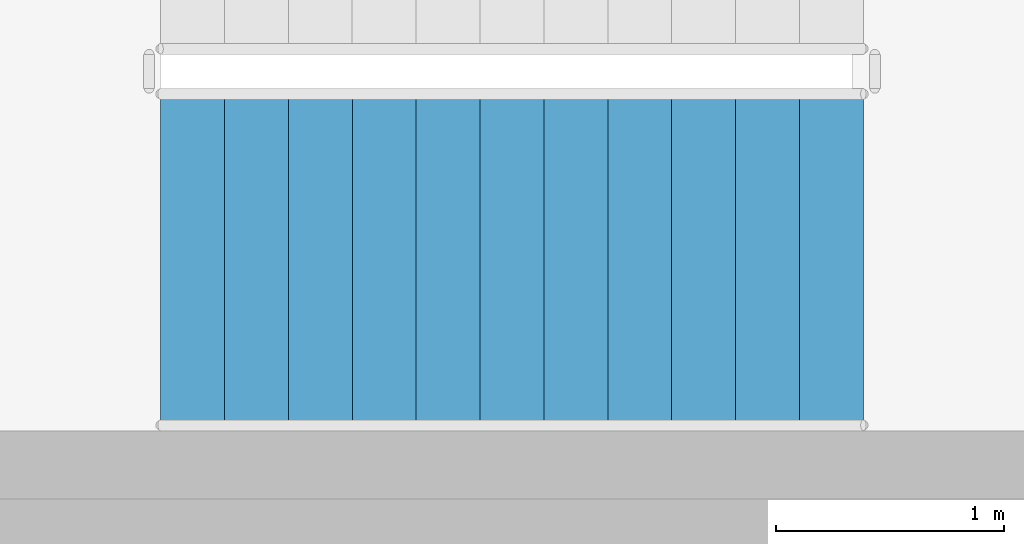
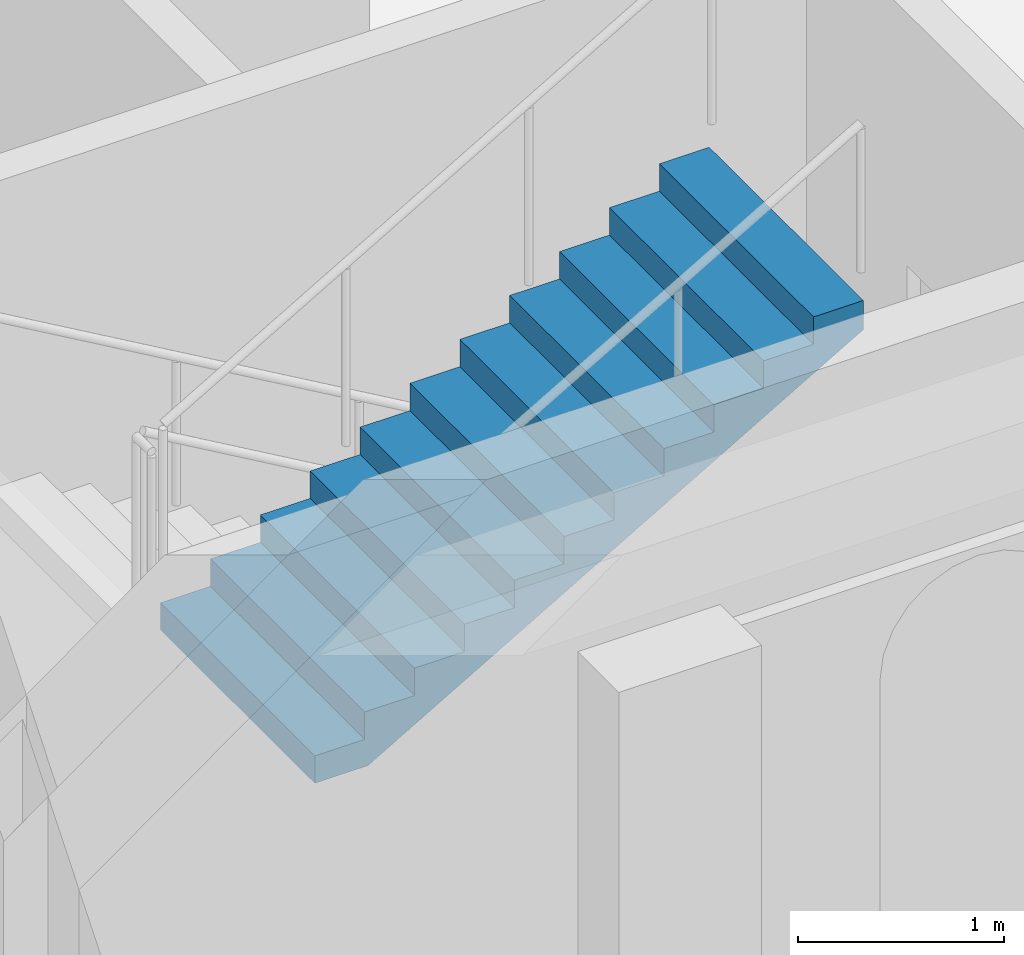
# One storey, part 35 of 42: 1 stair flight, 1 element without a shape of its own.
"""IFC4 building model written with IfcOpenShell, lengths in metres."""

from ifc_helpers import new_model, si_unit, direction, frame, origin, place, context, subcontext, project, spatial, triangles, material, type_object, element, aggregate, save


model = new_model("IFC4")

# Units and contexts
model_context = context("Model", 3, precision=1e-05, world=origin(), true_north=direction((0.0, 1.0)))
body_context = subcontext(model_context, "Body", "Model", "MODEL_VIEW")
ifc_project = project(units=[si_unit("LENGTHUNIT", "METRE"), si_unit("AREAUNIT", "SQUARE_METRE"), si_unit("VOLUMEUNIT", "CUBIC_METRE"), si_unit("PLANEANGLEUNIT", "RADIAN"), si_unit("MASSUNIT", "GRAM", prefix="KILO")], contexts=[model_context])

# Site, building, storey
site_placement = place(None, origin())
site = spatial("IfcSite", under=ifc_project, at=site_placement, CompositionType="ELEMENT")
building_placement = place(site_placement, origin())
building = spatial("IfcBuilding", under=site, at=building_placement, Name="Magnolia Steps Interchange", CompositionType="ELEMENT")
storey_placement = place(building_placement, frame((0.0, 0.0, 12.60009765625)))
storey = spatial("IfcBuildingStorey", under=building, at=storey_placement, Name="L03", CompositionType="ELEMENT", Elevation=12.60009765625)

# Stair, stair flight
ifc_material_1 = material(Name="Concrete C40", Category="concrete")
stair_type = type_object("IfcStairType", Name="Exit stair 1500", PredefinedType="HALF_TURN_STAIR", material=ifc_material_1)
stair_placement = place(storey_placement, origin())
stair = element("IfcStair", 1, at=stair_placement, inside=storey, type_object=stair_type, Name="L03 Stair 28", PredefinedType="HALF_TURN_STAIR")
ifc_material_2 = material(Name="Concrete C40", Category="concrete")
stair_flight_type = type_object("IfcStairFlightType", Name="Exit stair flight", PredefinedType="STRAIGHT", material=ifc_material_2)
stair_flight_placement = place(storey_placement, frame((66.070068359375, 97.60009765625, 1.949951171875), z_axis=(0.0, 0.0, 1.0), x_axis=(1.0, 0.0, 0.0)))
stair_flight = element("IfcStairFlight", 2, at=stair_flight_placement, type_object=stair_flight_type, Name="Stair 28 flight 2", NumberOfRisers=12, NumberOfTreads=11, PredefinedType="STRAIGHT", RiserHeight=0.1625, TreadLength=0.28, context=body_context, shape_type="Tessellation", body=[
    triangles([(0.0, -0.75, 0.0), (0.298583984375, -0.75, 0.0), (3.080078125, -0.75, 1.6142578125), (3.080078125, -0.75, 1.78759765625), (2.800048828125, -0.75, 1.78759765625), (2.800048828125, -0.75, 1.625), (2.52001953125, -0.75, 1.625), (2.52001953125, -0.75, 1.46240234375), (2.239990234375, -0.75, 1.46240234375), (2.239990234375, -0.75, 1.300048828125), (1.9599609375, -0.75, 1.300048828125), (1.9599609375, -0.75, 1.137451171875), (1.679931640625, -0.75, 1.137451171875), (1.679931640625, -0.75, 0.97509765625), (1.39990234375, -0.75, 0.97509765625), (1.39990234375, -0.75, 0.8125), (1.1201171875, -0.75, 0.8125), (1.1201171875, -0.75, 0.64990234375), (0.840087890625, -0.75, 0.64990234375), (0.840087890625, -0.75, 0.487548828125), (0.56005859375, -0.75, 0.487548828125), (0.56005859375, -0.75, 0.324951171875), (0.280029296875, -0.75, 0.324951171875), (0.280029296875, -0.75, 0.16259765625), (0.0, -0.75, 0.16259765625), (0.0, 0.75, 0.0), (0.298583984375, 0.75, 0.0), (3.080078125, 0.75, 1.6142578125), (3.080078125, 0.75, 1.78759765625), (2.800048828125, 0.75, 1.78759765625), (2.800048828125, 0.75, 1.625), (2.52001953125, 0.75, 1.625), (2.52001953125, 0.75, 1.46240234375), (2.239990234375, 0.75, 1.46240234375), (2.239990234375, 0.75, 1.300048828125), (1.9599609375, 0.75, 1.300048828125), (1.9599609375, 0.75, 1.137451171875), (1.679931640625, 0.75, 1.137451171875), (1.679931640625, 0.75, 0.97509765625), (1.39990234375, 0.75, 0.97509765625), (1.39990234375, 0.75, 0.8125), (1.1201171875, 0.75, 0.8125), (1.1201171875, 0.75, 0.64990234375), (0.840087890625, 0.75, 0.64990234375), (0.840087890625, 0.75, 0.487548828125), (0.56005859375, 0.75, 0.487548828125), (0.56005859375, 0.75, 0.324951171875), (0.280029296875, 0.75, 0.324951171875), (0.280029296875, 0.75, 0.16259765625), (0.0, 0.75, 0.16259765625), (0.0, 0.0, 0.0), (0.0, 0.0, 0.0406494140625), (0.0, 0.0, 0.081298828125), (0.0, 0.0, 0.1219482421875), (0.0, 0.0, 0.16259765625), (0.0, -0.05, 0.0), (0.0, -0.05, 0.16259765625), (0.0, 0.05, 0.0), (0.0, 0.05, 0.16259765625), (0.046671549479166664, 0.0, 0.16259765625), (0.09334309895833333, 0.0, 0.16259765625), (0.1400146484375, 0.0, 0.16259765625), (0.18668619791666666, 0.0, 0.16259765625), (0.23335774739583334, 0.0, 0.16259765625), (0.280029296875, 0.0, 0.16259765625), (0.280029296875, -0.05, 0.16259765625), (0.280029296875, 0.05, 0.16259765625), (0.280029296875, 0.0, 0.20318603515625), (0.280029296875, 0.0, 0.2437744140625), (0.280029296875, 0.0, 0.28436279296875), (0.280029296875, 0.0, 0.324951171875), (0.280029296875, -0.05, 0.324951171875), (0.280029296875, 0.05, 0.324951171875), (0.3267008463541667, 0.0, 0.324951171875), (0.3733723958333333, 0.0, 0.324951171875), (0.4200439453125, 0.0, 0.324951171875), (0.46671549479166663, 0.0, 0.324951171875), (0.5133870442708334, 0.0, 0.324951171875), (0.56005859375, 0.0, 0.324951171875), (0.56005859375, -0.05, 0.324951171875), (0.56005859375, 0.05, 0.324951171875), (0.56005859375, 0.0, 0.3656005859375), (0.56005859375, 0.0, 0.40625), (0.56005859375, 0.0, 0.4468994140625), (0.56005859375, 0.0, 0.487548828125), (0.56005859375, -0.05, 0.487548828125), (0.56005859375, 0.05, 0.487548828125), (0.6067301432291666, 0.0, 0.487548828125), (0.6534016927083334, 0.0, 0.487548828125), (0.7000732421875, 0.0, 0.487548828125), (0.7467447916666666, 0.0, 0.487548828125), (0.7934163411458334, 0.0, 0.487548828125), (0.840087890625, 0.0, 0.487548828125), (0.840087890625, -0.05, 0.487548828125), (0.840087890625, 0.05, 0.487548828125), (0.840087890625, 0.0, 0.52813720703125), (0.840087890625, 0.0, 0.5687255859375), (0.840087890625, 0.0, 0.60931396484375), (0.840087890625, 0.0, 0.64990234375), (0.840087890625, -0.05, 0.64990234375), (0.840087890625, 0.05, 0.64990234375), (0.8867594401041666, 0.0, 0.64990234375), (0.9334309895833334, 0.0, 0.64990234375), (0.9801025390625, 0.0, 0.64990234375), (1.0267740885416667, 0.0, 0.64990234375), (1.0734456380208333, 0.0, 0.64990234375), (1.1201171875, 0.0, 0.64990234375), (1.1201171875, -0.05, 0.64990234375), (1.1201171875, 0.05, 0.64990234375), (1.1201171875, 0.0, 0.6905517578125), (1.1201171875, 0.0, 0.731201171875), (1.1201171875, 0.0, 0.7718505859375), (1.1201171875, 0.0, 0.8125), (1.1201171875, -0.05, 0.8125), (1.1201171875, 0.05, 0.8125), (1.1900634765625, 0.0, 0.8125), (1.260009765625, 0.0, 0.8125), (1.3299560546875, 0.0, 0.8125), (1.39990234375, 0.0, 0.8125), (1.39990234375, -0.05, 0.8125), (1.39990234375, 0.05, 0.8125), (1.39990234375, 0.0, 0.8531494140625), (1.39990234375, 0.0, 0.893798828125), (1.39990234375, 0.0, 0.9344482421875), (1.39990234375, 0.0, 0.97509765625), (1.39990234375, -0.05, 0.97509765625), (1.39990234375, 0.05, 0.97509765625), (1.4465738932291667, 0.0, 0.97509765625), (1.4932454427083333, 0.0, 0.97509765625), (1.5399169921875, 0.0, 0.97509765625), (1.5865885416666667, 0.0, 0.97509765625), (1.6332600911458333, 0.0, 0.97509765625), (1.679931640625, 0.0, 0.97509765625), (1.679931640625, -0.05, 0.97509765625), (1.679931640625, 0.05, 0.97509765625), (1.679931640625, 0.0, 1.01568603515625), (1.679931640625, 0.0, 1.0562744140625), (1.679931640625, 0.0, 1.09686279296875), (1.679931640625, 0.0, 1.137451171875), (1.679931640625, -0.05, 1.137451171875), (1.679931640625, 0.05, 1.137451171875), (1.7266031901041667, 0.0, 1.137451171875), (1.7732747395833333, 0.0, 1.137451171875), (1.8199462890625, 0.0, 1.137451171875), (1.8666178385416667, 0.0, 1.137451171875), (1.9132893880208333, 0.0, 1.137451171875), (1.9599609375, 0.0, 1.137451171875), (1.9599609375, -0.05, 1.137451171875), (1.9599609375, 0.05, 1.137451171875), (1.9599609375, 0.0, 1.1781005859375), (1.9599609375, 0.0, 1.21875), (1.9599609375, 0.0, 1.2593994140625), (1.9599609375, 0.0, 1.300048828125), (1.9599609375, -0.05, 1.300048828125), (1.9599609375, 0.05, 1.300048828125), (2.0066324869791665, 0.0, 1.300048828125), (2.0533040364583335, 0.0, 1.300048828125), (2.0999755859375, 0.0, 1.300048828125), (2.1466471354166665, 0.0, 1.300048828125), (2.1933186848958335, 0.0, 1.300048828125), (2.239990234375, 0.0, 1.300048828125), (2.239990234375, -0.05, 1.300048828125), (2.239990234375, 0.05, 1.300048828125), (2.239990234375, 0.0, 1.34063720703125), (2.239990234375, 0.0, 1.3812255859375), (2.239990234375, 0.0, 1.42181396484375), (2.239990234375, 0.0, 1.46240234375), (2.239990234375, -0.05, 1.46240234375), (2.239990234375, 0.05, 1.46240234375), (2.2866617838541665, 0.0, 1.46240234375), (2.3333333333333335, 0.0, 1.46240234375), (2.3800048828125, 0.0, 1.46240234375), (2.4266764322916665, 0.0, 1.46240234375), (2.4733479817708335, 0.0, 1.46240234375), (2.52001953125, 0.0, 1.46240234375), (2.52001953125, -0.05, 1.46240234375), (2.52001953125, 0.05, 1.46240234375), (2.52001953125, 0.0, 1.5030517578125), (2.52001953125, 0.0, 1.543701171875), (2.52001953125, 0.0, 1.5843505859375), (2.52001953125, 0.0, 1.625), (2.52001953125, -0.05, 1.625), (2.52001953125, 0.05, 1.625), (2.5666910807291665, 0.0, 1.625), (2.6133626302083335, 0.0, 1.625), (2.6600341796875, 0.0, 1.625), (2.7067057291666665, 0.0, 1.625), (2.7533772786458335, 0.0, 1.625), (2.800048828125, 0.0, 1.625), (2.800048828125, -0.05, 1.625), (2.800048828125, 0.05, 1.625), (2.800048828125, 0.0, 1.6656494140625), (2.800048828125, 0.0, 1.706298828125), (2.800048828125, 0.0, 1.7469482421875), (2.800048828125, 0.0, 1.78759765625), (2.800048828125, -0.05, 1.78759765625), (2.800048828125, 0.05, 1.78759765625), (2.8467203776041665, 0.0, 1.78759765625), (2.8933919270833335, 0.0, 1.78759765625), (2.9400634765625, 0.0, 1.78759765625), (2.9867350260416665, 0.0, 1.78759765625), (3.0334065755208335, 0.0, 1.78759765625), (3.080078125, 0.0, 1.78759765625), (3.080078125, -0.05, 1.78759765625), (3.080078125, 0.05, 1.78759765625), (3.080078125, 0.0, 1.7442626953125), (3.080078125, 0.0, 1.700927734375), (3.080078125, 0.0, 1.6575927734375), (3.080078125, 0.0, 1.6142578125), (3.080078125, -0.05, 1.6142578125), (3.080078125, 0.05, 1.6142578125), (3.0196108610733696, 0.0, 1.5791652513586956), (2.9591435971467392, 0.0, 1.5440726902173914), (2.898676333220109, 0.0, 1.508980129076087), (2.8382090692934785, 0.0, 1.4738875679347827), (2.7777418053668477, 0.0, 1.4387950067934783), (2.7172745414402173, 0.0, 1.4037024456521738), (2.656807277513587, 0.0, 1.3686098845108696), (2.5963400135869565, 0.0, 1.3335173233695652), (2.535872749660326, 0.0, 1.2984247622282608), (2.475405485733696, 0.0, 1.2633322010869565), (2.4149382218070654, 0.0, 1.228239639945652), (2.3544709578804346, 0.0, 1.193147078804348), (2.294003693953804, 0.0, 1.1580545176630435), (2.233536430027174, 0.0, 1.1229619565217392), (2.1730691661005435, 0.0, 1.0878693953804348), (2.112601902173913, 0.0, 1.0527768342391304), (2.0521346382472827, 0.0, 1.0176842730978262), (1.991667374320652, 0.0, 0.9825917119565217), (1.9312001103940217, 0.0, 0.9474991508152174), (1.8707328464673914, 0.0, 0.9124065896739131), (1.810265582540761, 0.0, 0.8773140285326086), (1.7497983186141304, 0.0, 0.8422214673913043), (1.6893310546875, 0.0, 0.80712890625), (1.6288637907608696, 0.0, 0.7720363451086957), (1.568396526834239, 0.0, 0.7369437839673914), (1.5079292629076086, 0.0, 0.7018512228260869), (1.4474619989809783, 0.0, 0.6667586616847826), (1.386994735054348, 0.0, 0.6316661005434783), (1.3265274711277173, 0.0, 0.5965735394021738), (1.266060207201087, 0.0, 0.5614809782608696), (1.2055929432744565, 0.0, 0.5263884171195652), (1.1451256793478262, 0.0, 0.491295855978261), (1.0846584154211956, 0.0, 0.45620329483695654), (1.0241911514945654, 0.0, 0.4211107336956521), (0.9637238875679346, 0.0, 0.3860181725543479), (0.9032566236413042, 0.0, 0.35092561141304346), (0.8427893597146738, 0.0, 0.315833050271739), (0.7823220957880435, 0.0, 0.2807404891304348), (0.7218548318614131, 0.0, 0.24564792798913038), (0.6613875679347827, 0.0, 0.21055536684782616), (0.6009203040081523, 0.0, 0.17546280570652173), (0.540453040081522, 0.0, 0.1403702445652173), (0.47998577615489113, 0.0, 0.10527768342391308), (0.41951851222826075, 0.0, 0.07018512228260865), (0.3590512483016304, 0.0, 0.035092561141304435), (0.298583984375, 0.0, 0.0), (0.298583984375, -0.05, 0.0), (0.298583984375, 0.05, 0.0), (0.24881998697916666, 0.0, 0.0), (0.19905598958333331, 0.0, 0.0), (0.1492919921875, 0.0, 0.0), (0.09952799479166666, 0.0, 0.0), (0.04976399739583334, 0.0, 0.0)], [[1, 2, 3], [3, 4, 5], [3, 5, 6], [3, 6, 7], [3, 7, 8], [8, 9, 10], [3, 8, 10], [10, 11, 12], [3, 10, 12], [12, 13, 14], [3, 12, 14], [14, 15, 16], [3, 14, 16], [16, 17, 18], [3, 16, 18], [18, 19, 20], [3, 18, 20], [20, 21, 22], [3, 20, 22], [1, 3, 22], [22, 23, 24], [1, 22, 24], [24, 25, 1], [26, 28, 27], [28, 30, 29], [28, 31, 30], [28, 32, 31], [28, 33, 32], [33, 35, 34], [28, 35, 33], [35, 37, 36], [28, 37, 35], [37, 39, 38], [28, 39, 37], [39, 41, 40], [28, 41, 39], [41, 43, 42], [28, 43, 41], [43, 45, 44], [28, 45, 43], [45, 47, 46], [28, 47, 45], [26, 47, 28], [47, 49, 48], [26, 49, 47], [49, 26, 50], [1, 25, 57], [1, 57, 56], [56, 52, 51], [56, 53, 52], [56, 57, 53], [57, 54, 53], [57, 55, 54], [26, 59, 50], [26, 58, 59], [58, 51, 52], [58, 52, 53], [58, 53, 59], [59, 53, 54], [59, 54, 55], [25, 24, 66], [25, 66, 57], [57, 60, 55], [57, 61, 60], [57, 62, 61], [57, 66, 62], [66, 63, 62], [66, 64, 63], [66, 65, 64], [50, 67, 49], [50, 59, 67], [59, 55, 60], [59, 60, 61], [59, 61, 62], [59, 62, 67], [67, 62, 63], [67, 63, 64], [67, 64, 65], [24, 23, 72], [24, 72, 66], [66, 68, 65], [66, 69, 68], [66, 72, 69], [72, 70, 69], [72, 71, 70], [49, 73, 48], [49, 67, 73], [67, 65, 68], [67, 68, 69], [67, 69, 73], [73, 69, 70], [73, 70, 71], [23, 22, 80], [23, 80, 72], [72, 74, 71], [72, 75, 74], [72, 76, 75], [72, 80, 76], [80, 77, 76], [80, 78, 77], [80, 79, 78], [48, 81, 47], [48, 73, 81], [73, 71, 74], [73, 74, 75], [73, 75, 76], [73, 76, 81], [81, 76, 77], [81, 77, 78], [81, 78, 79], [22, 21, 86], [22, 86, 80], [80, 82, 79], [80, 83, 82], [80, 86, 83], [86, 84, 83], [86, 85, 84], [47, 87, 46], [47, 81, 87], [81, 79, 82], [81, 82, 83], [81, 83, 87], [87, 83, 84], [87, 84, 85], [21, 20, 94], [21, 94, 86], [86, 88, 85], [86, 89, 88], [86, 90, 89], [86, 94, 90], [94, 91, 90], [94, 92, 91], [94, 93, 92], [46, 95, 45], [46, 87, 95], [87, 85, 88], [87, 88, 89], [87, 89, 90], [87, 90, 95], [95, 90, 91], [95, 91, 92], [95, 92, 93], [20, 19, 100], [20, 100, 94], [94, 96, 93], [94, 97, 96], [94, 100, 97], [100, 98, 97], [100, 99, 98], [45, 101, 44], [45, 95, 101], [95, 93, 96], [95, 96, 97], [95, 97, 101], [101, 97, 98], [101, 98, 99], [19, 18, 108], [19, 108, 100], [100, 102, 99], [100, 103, 102], [100, 104, 103], [100, 108, 104], [108, 105, 104], [108, 106, 105], [108, 107, 106], [44, 109, 43], [44, 101, 109], [101, 99, 102], [101, 102, 103], [101, 103, 104], [101, 104, 109], [109, 104, 105], [109, 105, 106], [109, 106, 107], [18, 17, 114], [18, 114, 108], [108, 110, 107], [108, 111, 110], [108, 114, 111], [114, 112, 111], [114, 113, 112], [43, 115, 42], [43, 109, 115], [109, 107, 110], [109, 110, 111], [109, 111, 115], [115, 111, 112], [115, 112, 113], [17, 16, 120], [17, 120, 114], [114, 116, 113], [114, 117, 116], [114, 120, 117], [120, 118, 117], [120, 119, 118], [42, 121, 41], [42, 115, 121], [115, 113, 116], [115, 116, 117], [115, 117, 121], [121, 117, 118], [121, 118, 119], [16, 15, 126], [16, 126, 120], [120, 122, 119], [120, 123, 122], [120, 126, 123], [126, 124, 123], [126, 125, 124], [41, 127, 40], [41, 121, 127], [121, 119, 122], [121, 122, 123], [121, 123, 127], [127, 123, 124], [127, 124, 125], [15, 14, 134], [15, 134, 126], [126, 128, 125], [126, 129, 128], [126, 130, 129], [126, 134, 130], [134, 131, 130], [134, 132, 131], [134, 133, 132], [40, 135, 39], [40, 127, 135], [127, 125, 128], [127, 128, 129], [127, 129, 130], [127, 130, 135], [135, 130, 131], [135, 131, 132], [135, 132, 133], [14, 13, 140], [14, 140, 134], [134, 136, 133], [134, 137, 136], [134, 140, 137], [140, 138, 137], [140, 139, 138], [39, 141, 38], [39, 135, 141], [135, 133, 136], [135, 136, 137], [135, 137, 141], [141, 137, 138], [141, 138, 139], [13, 12, 148], [13, 148, 140], [140, 142, 139], [140, 143, 142], [140, 144, 143], [140, 148, 144], [148, 145, 144], [148, 146, 145], [148, 147, 146], [38, 149, 37], [38, 141, 149], [141, 139, 142], [141, 142, 143], [141, 143, 144], [141, 144, 149], [149, 144, 145], [149, 145, 146], [149, 146, 147], [12, 11, 154], [12, 154, 148], [148, 150, 147], [148, 151, 150], [148, 154, 151], [154, 152, 151], [154, 153, 152], [37, 155, 36], [37, 149, 155], [149, 147, 150], [149, 150, 151], [149, 151, 155], [155, 151, 152], [155, 152, 153], [11, 10, 162], [11, 162, 154], [154, 156, 153], [154, 157, 156], [154, 158, 157], [154, 162, 158], [162, 159, 158], [162, 160, 159], [162, 161, 160], [36, 163, 35], [36, 155, 163], [155, 153, 156], [155, 156, 157], [155, 157, 158], [155, 158, 163], [163, 158, 159], [163, 159, 160], [163, 160, 161], [10, 9, 168], [10, 168, 162], [162, 164, 161], [162, 165, 164], [162, 168, 165], [168, 166, 165], [168, 167, 166], [35, 169, 34], [35, 163, 169], [163, 161, 164], [163, 164, 165], [163, 165, 169], [169, 165, 166], [169, 166, 167], [9, 8, 176], [9, 176, 168], [168, 170, 167], [168, 171, 170], [168, 172, 171], [168, 176, 172], [176, 173, 172], [176, 174, 173], [176, 175, 174], [34, 177, 33], [34, 169, 177], [169, 167, 170], [169, 170, 171], [169, 171, 172], [169, 172, 177], [177, 172, 173], [177, 173, 174], [177, 174, 175], [8, 7, 182], [8, 182, 176], [176, 178, 175], [176, 179, 178], [176, 182, 179], [182, 180, 179], [182, 181, 180], [33, 183, 32], [33, 177, 183], [177, 175, 178], [177, 178, 179], [177, 179, 183], [183, 179, 180], [183, 180, 181], [7, 6, 190], [7, 190, 182], [182, 184, 181], [182, 185, 184], [182, 186, 185], [182, 190, 186], [190, 187, 186], [190, 188, 187], [190, 189, 188], [32, 191, 31], [32, 183, 191], [183, 181, 184], [183, 184, 185], [183, 185, 186], [183, 186, 191], [191, 186, 187], [191, 187, 188], [191, 188, 189], [6, 5, 196], [6, 196, 190], [190, 192, 189], [190, 193, 192], [190, 196, 193], [196, 194, 193], [196, 195, 194], [31, 197, 30], [31, 191, 197], [191, 189, 192], [191, 192, 193], [191, 193, 197], [197, 193, 194], [197, 194, 195], [5, 4, 204], [5, 204, 196], [196, 198, 195], [196, 199, 198], [196, 200, 199], [196, 204, 200], [204, 201, 200], [204, 202, 201], [204, 203, 202], [30, 205, 29], [30, 197, 205], [197, 195, 198], [197, 198, 199], [197, 199, 200], [197, 200, 205], [205, 200, 201], [205, 201, 202], [205, 202, 203], [4, 3, 210], [4, 210, 204], [204, 206, 203], [204, 207, 206], [204, 210, 207], [210, 208, 207], [210, 209, 208], [29, 211, 28], [29, 205, 211], [205, 203, 206], [205, 206, 207], [205, 207, 211], [211, 207, 208], [211, 208, 209], [3, 2, 258], [3, 258, 210], [210, 212, 209], [210, 213, 212], [210, 214, 213], [210, 215, 214], [210, 216, 215], [210, 217, 216], [210, 218, 217], [210, 219, 218], [210, 220, 219], [210, 221, 220], [210, 222, 221], [210, 223, 222], [210, 224, 223], [210, 225, 224], [210, 226, 225], [210, 227, 226], [210, 228, 227], [210, 229, 228], [210, 230, 229], [210, 231, 230], [210, 232, 231], [210, 233, 232], [210, 234, 233], [210, 258, 234], [258, 235, 234], [258, 236, 235], [258, 237, 236], [258, 238, 237], [258, 239, 238], [258, 240, 239], [258, 241, 240], [258, 242, 241], [258, 243, 242], [258, 244, 243], [258, 245, 244], [258, 246, 245], [258, 247, 246], [258, 248, 247], [258, 249, 248], [258, 250, 249], [258, 251, 250], [258, 252, 251], [258, 253, 252], [258, 254, 253], [258, 255, 254], [258, 256, 255], [258, 257, 256], [28, 259, 27], [28, 211, 259], [211, 209, 212], [211, 212, 213], [211, 213, 214], [211, 214, 215], [211, 215, 216], [211, 216, 217], [211, 217, 218], [211, 218, 219], [211, 219, 220], [211, 220, 221], [211, 221, 222], [211, 222, 223], [211, 223, 224], [211, 224, 225], [211, 225, 226], [211, 226, 227], [211, 227, 228], [211, 228, 229], [211, 229, 230], [211, 230, 231], [211, 231, 232], [211, 232, 233], [211, 233, 234], [211, 234, 259], [259, 234, 235], [259, 235, 236], [259, 236, 237], [259, 237, 238], [259, 238, 239], [259, 239, 240], [259, 240, 241], [259, 241, 242], [259, 242, 243], [259, 243, 244], [259, 244, 245], [259, 245, 246], [259, 246, 247], [259, 247, 248], [259, 248, 249], [259, 249, 250], [259, 250, 251], [259, 251, 252], [259, 252, 253], [259, 253, 254], [259, 254, 255], [259, 255, 256], [259, 256, 257], [2, 1, 56], [2, 56, 258], [258, 260, 257], [258, 261, 260], [258, 262, 261], [258, 56, 262], [56, 263, 262], [56, 264, 263], [56, 51, 264], [27, 58, 26], [27, 259, 58], [259, 257, 260], [259, 260, 261], [259, 261, 262], [259, 262, 58], [58, 262, 263], [58, 263, 264], [58, 264, 51]], closed=True),
])
aggregate(stair, [stair_flight])

save(model, "model.ifc")
